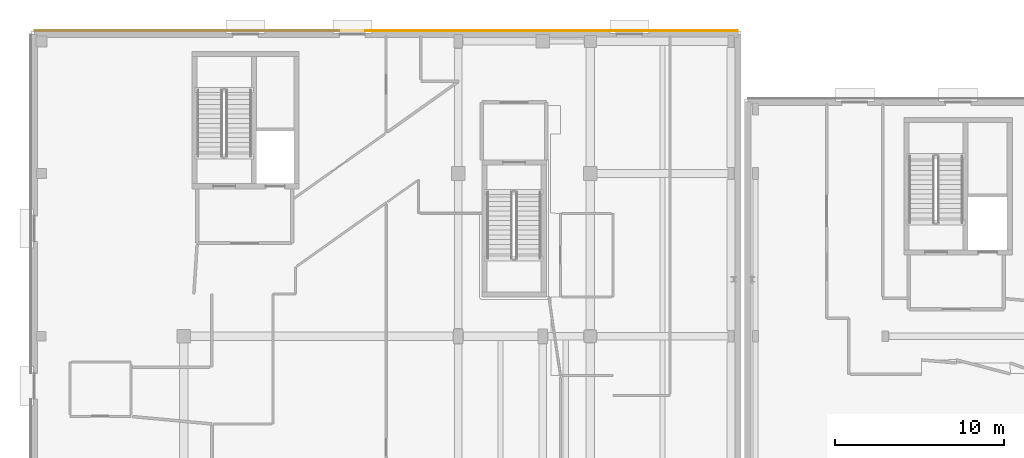
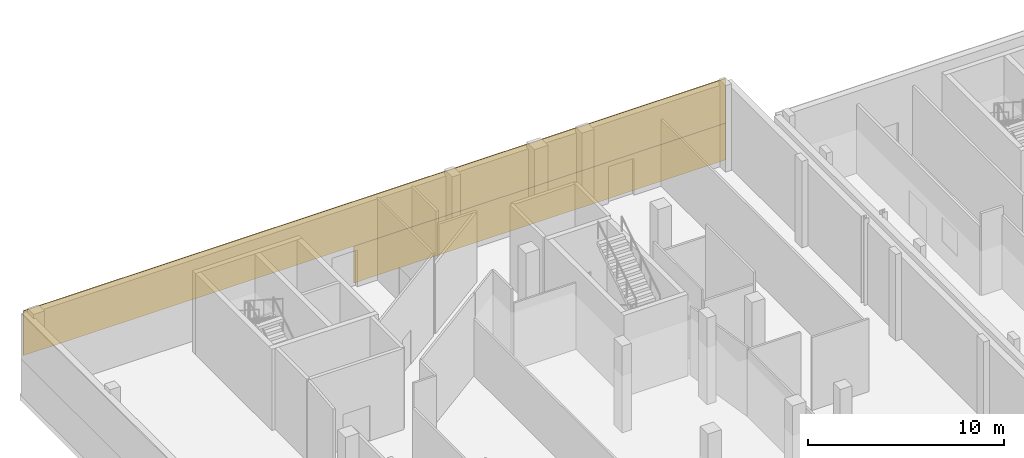
# One storey, part 71 of 84: 2 coverings.
"""IFC4 building model written with IfcOpenShell, lengths in metres."""

import ifcopenshell
import ifcopenshell.guid

model = None  # the IFC model being written
_history = None  # IfcOwnerHistory: only IFC2X3 demands one
_inside = {}  # id of a spatial element -> (the spatial element, [elements in it])
_under = {}  # id of a project, library or spatial element -> (it, [spatial elements below it])
_declared = {}  # id of a project -> (the project, [libraries it declares])
_typed = {}  # id of a type object -> (the type object, [elements of that type])
_made_of = {}  # id of a material, layer set ... -> (it, [elements and type objects made of it])


def new_model(schema):
    """Start an empty IFC model of exactly this schema.

    Asked for "IFC4X3", IfcOpenShell would pick the latest addendum, in which some entities
    have other attributes; the version numbers below select the first issue.
    IFC2X3 requires an IfcOwnerHistory on every rooted entity: one is made here for all.
    """
    global model, _history
    if schema == "IFC4X3":
        model = ifcopenshell.file(schema_version=(4, 3, 0, 0))
    else:
        model = ifcopenshell.file(schema=schema)
    _inside.clear()
    _under.clear()
    _declared.clear()
    _typed.clear()
    _made_of.clear()
    _history = None
    if model.schema == "IFC2X3":
        org = make("IfcOrganization", Name="unknown")
        user = make(
            "IfcPersonAndOrganization",
            ThePerson=make("IfcPerson", FamilyName="unknown"),
            TheOrganization=org,
        )
        app = make(
            "IfcApplication",
            ApplicationDeveloper=org,
            Version="unknown",
            ApplicationFullName="unknown",
            ApplicationIdentifier="unknown",
        )
        _history = make(
            "IfcOwnerHistory",
            OwningUser=user,
            OwningApplication=app,
            ChangeAction="ADDED",
            CreationDate=0,
        )
    return model


def make(cls, **values):
    """One entity of the class cls with the attributes given. An attribute that is None is left unset."""
    return model.create_entity(
        cls, **{name: value for name, value in values.items() if value is not None}
    )


def rooted(cls, **values):
    """An entity with a GlobalId (a new one), such as an element, a storey or a relation."""
    return make(cls, GlobalId=ifcopenshell.guid.new(), OwnerHistory=_history, **values)


def si_unit(unit_type, name, prefix=None):
    """IfcSIUnit, for example si_unit("LENGTHUNIT", "METRE", prefix="MILLI")."""
    return make("IfcSIUnit", UnitType=unit_type, Prefix=prefix, Name=name)


def assignment(units):
    """IfcUnitAssignment: the units of a project."""
    return None if units is None else make("IfcUnitAssignment", Units=units)


def point(xyz):
    """IfcCartesianPoint."""
    return None if xyz is None else make("IfcCartesianPoint", Coordinates=xyz)


def direction(xyz):
    """IfcDirection."""
    return None if xyz is None else make("IfcDirection", DirectionRatios=xyz)


def frame(location, z_axis=None, x_axis=None):
    """IfcAxis2Placement3D, a coordinate frame: its origin and axes. An axis left out is left unset."""
    return make(
        "IfcAxis2Placement3D",
        Location=point(location),
        Axis=direction(z_axis),
        RefDirection=direction(x_axis),
    )


def frame_2d(location, x_axis=None):
    """IfcAxis2Placement2D, a coordinate frame in the plane: its origin and x axis."""
    return make(
        "IfcAxis2Placement2D", Location=point(location), RefDirection=direction(x_axis)
    )


def origin():
    """The frame at (0, 0, 0) with its axes left unset."""
    return frame((0.0, 0.0, 0.0))


def origin_2d():
    """The frame at (0, 0) in the plane with its x axis left unset."""
    return frame_2d((0.0, 0.0))


def place(relative_to, where):
    """IfcLocalPlacement: puts the frame where relative to a parent placement (None: the world)."""
    return make(
        "IfcLocalPlacement", PlacementRelTo=relative_to, RelativePlacement=where
    )


def context(
    kind, dimensions, precision=None, world=None, true_north=None, identifier=None
):
    """IfcGeometricRepresentationContext, for example the 3D "Model" context."""
    return make(
        "IfcGeometricRepresentationContext",
        ContextIdentifier=identifier,
        ContextType=kind,
        CoordinateSpaceDimension=dimensions,
        Precision=precision,
        WorldCoordinateSystem=world,
        TrueNorth=true_north,
    )


def subcontext(parent, identifier, kind, view, scale=None):
    """IfcGeometricRepresentationSubContext, for example "Body" below "Model"."""
    return make(
        "IfcGeometricRepresentationSubContext",
        ContextIdentifier=identifier,
        ContextType=kind,
        ParentContext=parent,
        TargetScale=scale,
        TargetView=view,
    )


def project(units=None, contexts=None):
    """IfcProject with its units and contexts."""
    return rooted(
        "IfcProject",
        Name="project",
        RepresentationContexts=contexts,
        UnitsInContext=assignment(units),
    )


def spatial(cls, under=None, at=None, **own):
    """A site, building, storey or space (cls), placed at a placement, below another one or the project."""
    s = rooted(cls, ObjectPlacement=at, **own)
    if under is not None:
        _under.setdefault(under.id(), (under, []))[1].append(s)
    return s


def profile(cls, at=None, kind="AREA", **sizes):
    """A parametric profile (cls). Its sizes go by their IFC names, for example OverallWidth=200.0."""
    return make(cls, ProfileType=kind, Position=at, **sizes)


def rectangle(**sizes):
    """IfcRectangleProfileDef."""
    return profile("IfcRectangleProfileDef", **sizes)


def extrude(swept, where, along, depth):
    """IfcExtrudedAreaSolid: the profile swept, set in the frame where, extruded along a direction by depth."""
    return make(
        "IfcExtrudedAreaSolid",
        SweptArea=swept,
        Position=where,
        ExtrudedDirection=direction(along),
        Depth=depth,
    )


def shape(context_of_items, identifier, shape_type, items):
    """IfcShapeRepresentation: the items that make up one representation, for example the "Body"."""
    return make(
        "IfcShapeRepresentation",
        ContextOfItems=context_of_items,
        RepresentationIdentifier=identifier,
        RepresentationType=shape_type,
        Items=items,
    )


def material(Name=None, Category=None):
    """IfcMaterial."""
    return make("IfcMaterial", Name=Name, Category=Category)


def layer(
    of_material, thickness, ventilated=None, Name=None, Category=None, Priority=None
):
    """IfcMaterialLayer: one layer of a wall or slab, of a material (None: an air gap)."""
    return make(
        "IfcMaterialLayer",
        Material=of_material,
        LayerThickness=thickness,
        IsVentilated=ventilated,
        Name=Name,
        Category=Category,
        Priority=Priority,
    )


def layer_set(layers, Name=None):
    """IfcMaterialLayerSet."""
    return make("IfcMaterialLayerSet", MaterialLayers=layers, LayerSetName=Name)


def made_of(thing, what):
    """Note that an element or type object is made of a material, layer set ...; save() writes the relation."""
    if what is not None:
        _made_of.setdefault(what.id(), (what, []))[1].append(thing)
    return thing


def type_object(cls, material=None, **own):
    """A type object (cls), such as IfcWallType, which elements share."""
    return made_of(rooted(cls, **own), material)


def element(
    cls,
    number,
    at=None,
    inside=None,
    cuts=None,
    type_object=None,
    material=None,
    context=None,
    identifier="Body",
    shape_type=None,
    held_by="IfcProductDefinitionShape",
    body=None,
    shapes=None,
    **own,
):
    """One element of the class cls, such as IfcWall. Its Tag is "e" and its number.

    at: its placement. inside: the storey or other place that contains it. cuts: it is an
    opening in that element (IfcRelVoidsElement). A single representation is given by context,
    identifier, shape_type and body (its items); several are given by shapes. held_by: the class
    of the entity that holds the representations. save() writes the other relations.
    """
    e = rooted(cls, Tag="e%d" % number, ObjectPlacement=at, **own)
    if body is not None:
        shapes = [shape(context, identifier, shape_type, body)]
    if shapes is not None:
        e.Representation = make(held_by, Representations=shapes)
    if inside is not None:
        _inside.setdefault(inside.id(), (inside, []))[1].append(e)
    if cuts is not None:
        rooted(
            "IfcRelVoidsElement", RelatingBuildingElement=cuts, RelatedOpeningElement=e
        )
    if type_object is not None:
        _typed.setdefault(type_object.id(), (type_object, []))[1].append(e)
    return made_of(e, material)


def aggregate(whole, parts):
    """IfcRelAggregates: a whole, such as a stair, and the parts it consists of."""
    return rooted("IfcRelAggregates", RelatingObject=whole, RelatedObjects=parts)


def save(model, path):
    """Write the relations noted so far, then the file.

    IfcRelAggregates (storeys below a building ...), IfcRelContainedInSpatialStructure (elements
    in a storey), IfcRelDefinesByType, IfcRelAssociatesMaterial and IfcRelDeclares: one each for
    every whole, place, type object, material and project.
    """
    for whole, parts in _under.values():
        aggregate(whole, parts)
    for where, things in _inside.values():
        rooted(
            "IfcRelContainedInSpatialStructure",
            RelatedElements=things,
            RelatingStructure=where,
        )
    for kind, things in _typed.values():
        rooted("IfcRelDefinesByType", RelatedObjects=things, RelatingType=kind)
    for what, things in _made_of.values():
        rooted("IfcRelAssociatesMaterial", RelatedObjects=things, RelatingMaterial=what)
    for by, libraries in _declared.values():
        rooted("IfcRelDeclares", RelatingContext=by, RelatedDefinitions=libraries)
    model.write(path)


model = new_model("IFC4")

# Units and contexts
model_context = context("Model", 3, precision=1e-05, world=origin(), true_north=direction((0.0, 1.0)))
body_context = subcontext(model_context, "Body", "Model", "MODEL_VIEW")
ifc_project = project(units=[si_unit("LENGTHUNIT", "METRE"), si_unit("AREAUNIT", "SQUARE_METRE"), si_unit("VOLUMEUNIT", "CUBIC_METRE"), si_unit("PLANEANGLEUNIT", "RADIAN"), si_unit("MASSUNIT", "GRAM", prefix="KILO")], contexts=[model_context])

# Site, building, storey
site_placement = place(None, origin())
site = spatial("IfcSite", under=ifc_project, at=site_placement, CompositionType="ELEMENT")
building_placement = place(site_placement, origin())
building = spatial("IfcBuilding", under=site, at=building_placement, Name="Mzevani Central Library", CompositionType="ELEMENT")
storey_placement = place(building_placement, origin())
storey = spatial("IfcBuildingStorey", under=building, at=storey_placement, Name="L00", CompositionType="ELEMENT", Elevation=0.0)

# Coverings
ifc_material = material(Name="Limestone ashlar cladding", Category="masonry")
ifc_layer = layer(ifc_material, 0.050048828125, Name="Limestone Ashlar Spandrel Cladding")
ifc_layer_set = layer_set([ifc_layer], Name="Limestone ashlar cladding")
covering_type = type_object("IfcCoveringType", Name="Limestone Ashlar Spandrel Cladding", PredefinedType="CLADDING", material=ifc_layer_set)
covering_1_placement = place(storey_placement, frame((24.949951171875, 118.02392578125, 2.2998046875), z_axis=(0.0, 0.0, 1.0), x_axis=(1.0, 0.0, 0.0)))
element("IfcCovering", 1, at=covering_1_placement, inside=storey, type_object=covering_type, Name="L00 Warm-White Facade Spandrel (EW4-V2-L00-0018)", PredefinedType="CLADDING", context=body_context, shape_type="SweptSolid", body=[
    extrude(rectangle(XDim=41.47998046875, YDim=0.050048828125, at=origin_2d()), origin(), (0.0, 0.0, 1.0), 2.780029296875),
])
covering_2_placement = place(storey_placement, frame((34.705078125, 118.02392578125, 0.0), z_axis=(0.0, 0.0, 1.0), x_axis=(1.0, 0.0, 0.0)))
element("IfcCovering", 2, at=covering_2_placement, inside=storey, type_object=covering_type, Name="L00 Warm-White Facade Pier 2 (EW4-V2-L00-0018)", PredefinedType="CLADDING", context=body_context, shape_type="SweptSolid", body=[
    extrude(rectangle(XDim=21.969970703125, YDim=0.050048828125, at=origin_2d()), origin(), (0.0, 0.0, 1.0), 2.300048828125),
])

save(model, "model.ifc")
